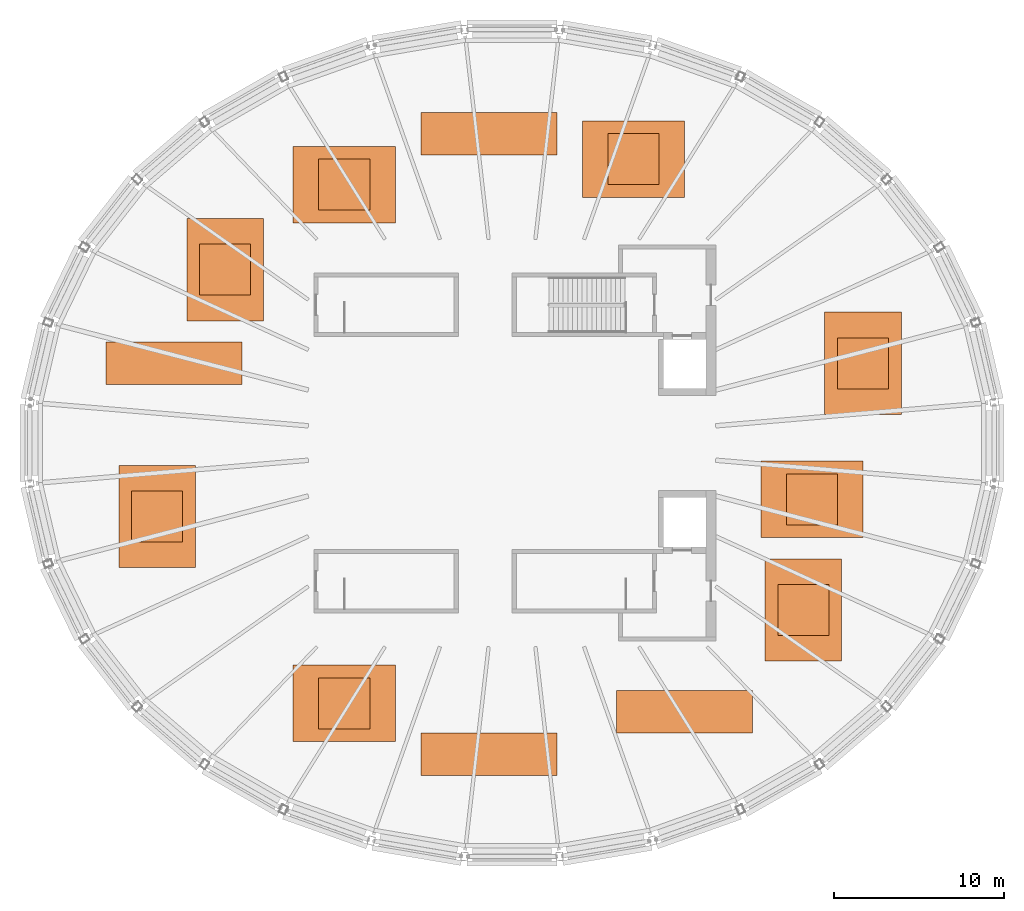
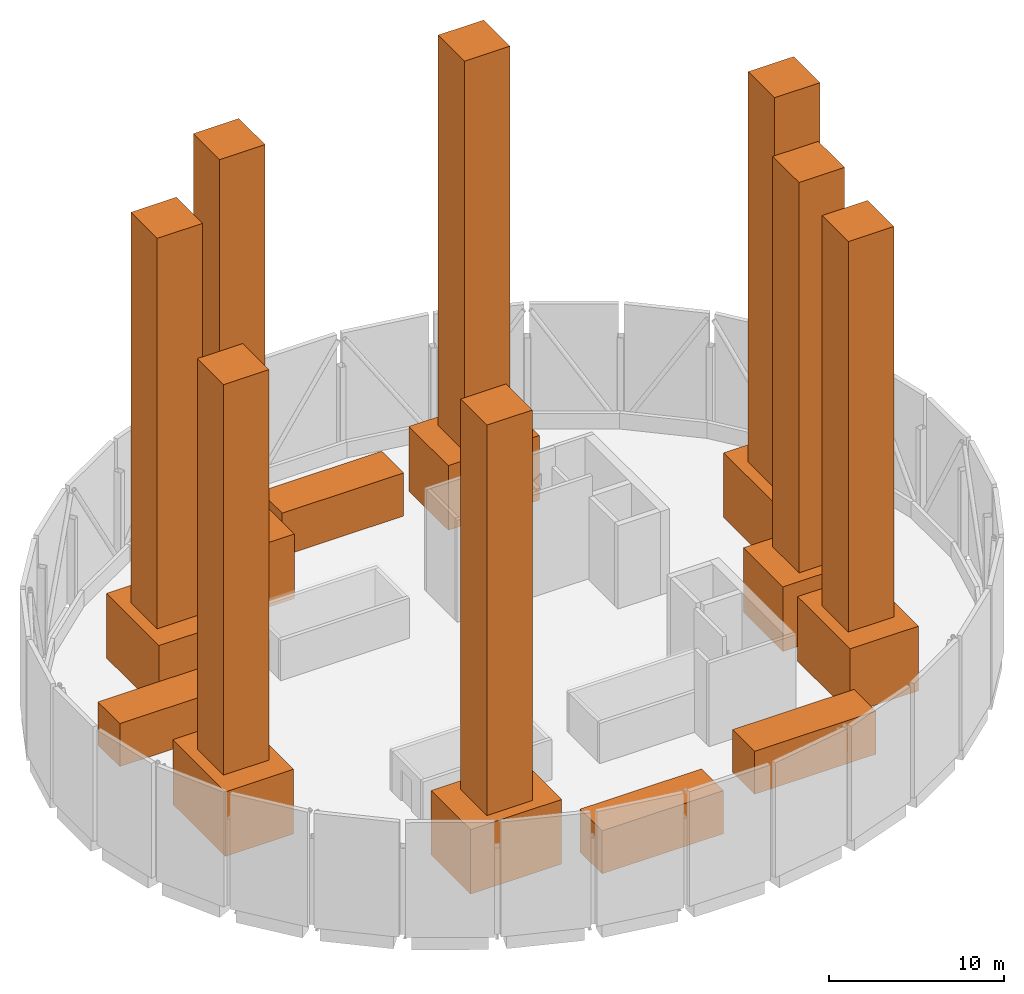
# One storey, part 7 of 7: 20 proxies.
"""IFC4 building model written with IfcOpenShell, lengths in metres."""

from ifc_helpers import new_model, si_unit, direction, frame, origin, origin_2d, place, context, subcontext, project, spatial, rectangle, extrude, material, type_object, element, save


model = new_model("IFC4")

# Units and contexts
model_context = context("Model", 3, precision=1e-05, world=origin(), true_north=direction((0.0, 1.0)))
body_context = subcontext(model_context, "Body", "Model", "MODEL_VIEW")
ifc_project = project(units=[si_unit("LENGTHUNIT", "METRE"), si_unit("AREAUNIT", "SQUARE_METRE"), si_unit("VOLUMEUNIT", "CUBIC_METRE"), si_unit("PLANEANGLEUNIT", "RADIAN"), si_unit("MASSUNIT", "GRAM", prefix="KILO")], contexts=[model_context])

# Site, building, storey
site_placement = place(None, origin())
site = spatial("IfcSite", under=ifc_project, at=site_placement, CompositionType="ELEMENT")
building_placement = place(site_placement, origin())
building = spatial("IfcBuilding", under=site, at=building_placement, Name="Halqa Exchange Tower", CompositionType="ELEMENT")
storey_placement = place(building_placement, frame((0.0, 0.0, 349.300048828125)))
storey = spatial("IfcBuildingStorey", under=building, at=storey_placement, Name="Roof crown", CompositionType="ELEMENT", Elevation=349.300048828125)

# Proxies
ifc_material = material(Name="Steel S355", Category="steel")
building_element_proxy_type_1 = type_object("IfcBuildingElementProxyType", Name="Air handling unit 8000 x 2500", PredefinedType="NOTDEFINED", material=ifc_material)
for number, where, z_axis, x_axis, name in (
    (1, (-1.363037109375, 18.18896484375, 0.0), (0.0, 0.0, 1.0), (1.0, 0.0, 0.0), "Air handling unit AHU-01"),
    (2, (-19.863037109375, 4.68896484375, 0.0), (0.0, 0.0, 1.0), (1.0, 0.0, 0.0), "Air handling unit AHU-02"),
    (3, (-1.363037109375, -18.31103515625, 0.0), (0.0, 0.0, 1.0), (1.0, 0.0, 0.0), "Air handling unit AHU-03"),
    (4, (10.136962890625, -15.81103515625, 0.0), (0.0, 0.0, 1.0), (1.0, 0.0, 0.0), "Air handling unit AHU-04"),
):
    element("IfcBuildingElementProxy", number, at=place(storey_placement, frame(where, z_axis=z_axis, x_axis=x_axis)), inside=storey, type_object=building_element_proxy_type_1, Name=name, PredefinedType="NOTDEFINED", context=body_context, shape_type="SweptSolid", body=[
        extrude(rectangle(XDim=8.0, YDim=2.5, at=origin_2d()), origin(), (0.0, 0.0, 1.0), 3.0),
    ])
building_element_proxy_type_2 = type_object("IfcBuildingElementProxyType", Name="Cooling tower 6000 x 4500", PredefinedType="NOTDEFINED", material=ifc_material)
for number, where, z_axis, x_axis, name in (
    (5, (20.636962890625, 4.68896484375, 0.0), (0.0, 0.0, 1.0), (0.0, 1.0, 0.0), "Cooling tower CT-01"),
    (6, (7.136962890625, 16.68896484375, 0.0), (0.0, 0.0, 1.0), (1.0, 0.0, 0.0), "Cooling tower CT-02"),
    (7, (-9.863037109375, 15.18896484375, 0.0), (0.0, 0.0, 1.0), (1.0, 0.0, 0.0), "Cooling tower CT-03"),
    (8, (-16.863037109375, 10.18896484375, 0.0), (0.0, 0.0, 1.0), (0.0, 1.0, 0.0), "Cooling tower CT-04"),
    (9, (-20.863037109375, -4.31103515625, 0.0), (0.0, 0.0, 1.0), (0.0, 1.0, 0.0), "Cooling tower CT-05"),
    (10, (-9.863037109375, -15.31103515625, 0.0), (0.0, 0.0, 1.0), (1.0, 0.0, 0.0), "Cooling tower CT-06"),
    (11, (17.136962890625, -9.81103515625, 0.0), (0.0, 0.0, 1.0), (0.0, 1.0, 0.0), "Cooling tower CT-07"),
    (12, (17.636962890625, -3.31103515625, 0.0), (0.0, 0.0, 1.0), (1.0, 0.0, 0.0), "Cooling tower CT-08"),
):
    element("IfcBuildingElementProxy", number, at=place(storey_placement, frame(where, z_axis=z_axis, x_axis=x_axis)), inside=storey, type_object=building_element_proxy_type_2, Name=name, PredefinedType="NOTDEFINED", context=body_context, shape_type="SweptSolid", body=[
        extrude(rectangle(XDim=6.0, YDim=4.5, at=origin_2d()), origin(), (0.0, 0.0, 1.0), 4.5),
    ])
building_element_proxy_type_3 = type_object("IfcBuildingElementProxyType", Name="Discharge stack 3000 x 3000", PredefinedType="NOTDEFINED", material=ifc_material)
for number, where, z_axis, x_axis, name in (
    (13, (20.636962890625, 4.68896484375, 4.5), (0.0, 0.0, 1.0), (1.0, 0.0, 0.0), "Discharge stack CT-01"),
    (14, (7.136962890625, 16.68896484375, 4.5), (0.0, 0.0, 1.0), (1.0, 0.0, 0.0), "Discharge stack CT-02"),
    (15, (-9.863037109375, 15.18896484375, 4.5), (0.0, 0.0, 1.0), (1.0, 0.0, 0.0), "Discharge stack CT-03"),
    (16, (-16.863037109375, 10.18896484375, 4.5), (0.0, 0.0, 1.0), (1.0, 0.0, 0.0), "Discharge stack CT-04"),
    (17, (-20.863037109375, -4.31103515625, 4.5), (0.0, 0.0, 1.0), (1.0, 0.0, 0.0), "Discharge stack CT-05"),
    (18, (-9.863037109375, -15.31103515625, 4.5), (0.0, 0.0, 1.0), (1.0, 0.0, 0.0), "Discharge stack CT-06"),
    (19, (17.136962890625, -9.81103515625, 4.5), (0.0, 0.0, 1.0), (1.0, 0.0, 0.0), "Discharge stack CT-07"),
    (20, (17.636962890625, -3.31103515625, 4.5), (0.0, 0.0, 1.0), (1.0, 0.0, 0.0), "Discharge stack CT-08"),
):
    element("IfcBuildingElementProxy", number, at=place(storey_placement, frame(where, z_axis=z_axis, x_axis=x_axis)), inside=storey, type_object=building_element_proxy_type_3, Name=name, PredefinedType="NOTDEFINED", context=body_context, shape_type="SweptSolid", body=[
        extrude(rectangle(XDim=3.0, YDim=3.0, at=origin_2d()), origin(), (0.0, 0.0, 1.0), 27.199951171875),
    ])

save(model, "model.ifc")
